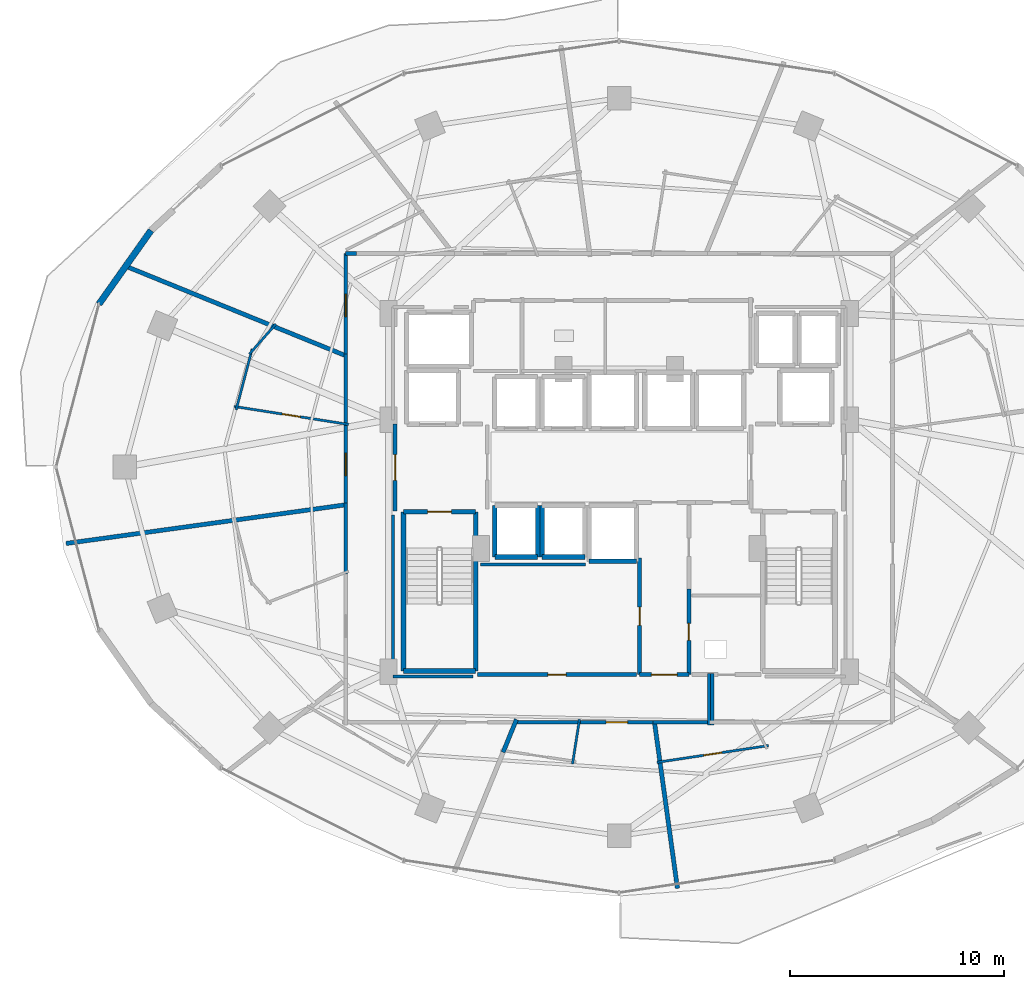
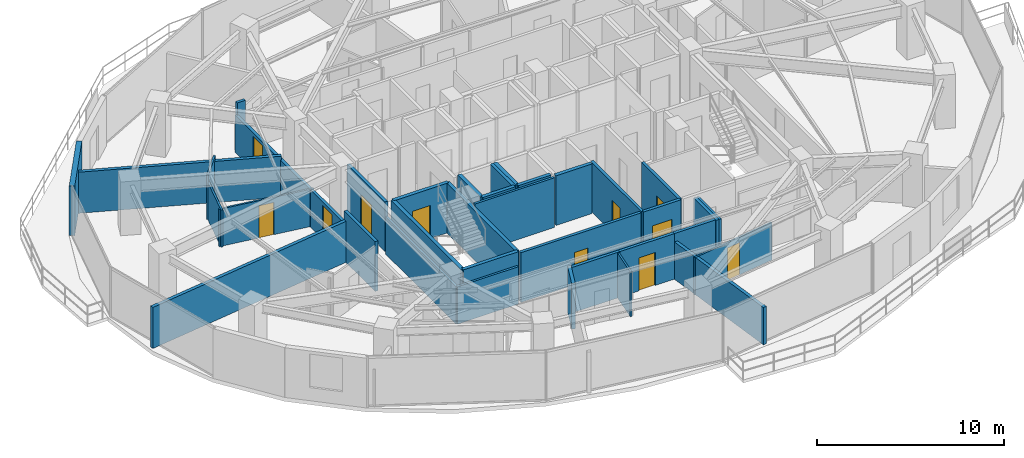
# One storey, part 22 of 30: 38 walls, 11 doors, 11 openings.
"""IFC4 building model written with IfcOpenShell, lengths in metres."""

from ifc_helpers import new_model, si_unit, direction, frame, frame_2d, origin, place, context, subcontext, project, spatial, rectangle, extrude, material, layer, layer_set, type_object, element, fill, save


model = new_model("IFC4")

# Units and contexts
model_context = context("Model", 3, precision=1e-05, world=origin(), true_north=direction((0.0, 1.0)))
body_context = subcontext(model_context, "Body", "Model", "MODEL_VIEW")
ifc_project = project(units=[si_unit("LENGTHUNIT", "METRE"), si_unit("AREAUNIT", "SQUARE_METRE"), si_unit("VOLUMEUNIT", "CUBIC_METRE"), si_unit("PLANEANGLEUNIT", "RADIAN"), si_unit("MASSUNIT", "GRAM", prefix="KILO")], contexts=[model_context])

# Site, building, storey
site_placement = place(None, origin())
site = spatial("IfcSite", under=ifc_project, at=site_placement, CompositionType="ELEMENT")
building_placement = place(site_placement, origin())
building = spatial("IfcBuilding", under=site, at=building_placement, Name="Vorneva Point Tower", CompositionType="ELEMENT")
storey_placement = place(building_placement, frame((0.0, 0.0, 92.800048828125)))
storey = spatial("IfcBuildingStorey", under=building, at=storey_placement, Name="L24", CompositionType="ELEMENT", Elevation=92.800048828125)

# Walls
ifc_material_1 = material(Name="Precast concrete B50 (C40/50)", Category="concrete")
ifc_layer_1 = layer(ifc_material_1, 0.300048828125)
ifc_layer_set_1 = layer_set([ifc_layer_1], Name="Precast concrete B50 (C40/50)")
wall_type_1 = type_object("IfcWallType", Name="WL-EXT-300", PredefinedType="STANDARD", material=ifc_layer_set_1)
wall_1_placement = place(storey_placement, frame((16.173828125, 37.028076171875, 0.0), z_axis=(0.0, 0.0, 1.0), x_axis=(-0.57716435238, -0.81662801222, 0.0)))
element("IfcWall", 1, at=wall_1_placement, inside=storey, type_object=wall_type_1, Name="L24 Pale-Metal Facade Spandrel Wall 07.2", PredefinedType="STANDARD", context=body_context, shape_type="SweptSolid", body=[
    extrude(rectangle(XDim=4.202392578125, YDim=0.300048828125, at=frame_2d((2.10107421875, 0.0))), origin(), (0.0, 0.0, 1.0), 3.239990234375),
])
ifc_material_2 = material(Name="Fire-rated acoustic gypsum stud partition", Category="gypsum")
ifc_layer_2 = layer(ifc_material_2, 0.110107421875)
ifc_layer_set_2 = layer_set([ifc_layer_2], Name="Fire-rated acoustic gypsum stud partition")
wall_type_2 = type_object("IfcWallType", Name="WL-PART-110", PredefinedType="PARTITIONING", material=ifc_layer_set_2)
wall_2_placement = place(storey_placement, frame((20.141357421875, 28.66650390625, 0.0), z_axis=(0.0, 0.0, 1.0), x_axis=(0.254489206931, 0.967075614187, 0.0)))
element("IfcWall", 2, at=wall_2_placement, inside=storey, type_object=wall_type_2, Name="L24 Interior Partition 068", PredefinedType="PARTITIONING", context=body_context, shape_type="SweptSolid", body=[
    extrude(rectangle(XDim=2.9365234375, YDim=0.110107421875, at=frame_2d((1.46826171875, 0.0))), origin(), (0.0, 0.0, 1.0), 2.431884765625),
])
wall_3_placement = place(storey_placement, frame((20.76025390625, 31.26611328125, 0.0), z_axis=(0.0, 0.0, 1.0), x_axis=(0.662008805554, 0.749496058275, 0.0)))
element("IfcWall", 3, at=wall_3_placement, inside=storey, type_object=wall_type_2, Name="L24 Interior Partition 069", PredefinedType="PARTITIONING", context=body_context, shape_type="SweptSolid", body=[
    extrude(rectangle(XDim=1.855712890625, YDim=0.110107421875, at=frame_2d((0.927734375, 0.0))), origin(), (0.0, 0.0, 1.0), 2.921875),
])

# Wall, opening, door
wall_4_placement = place(storey_placement, frame((25.38818359375, 27.982177734375, 0.0), z_axis=(0.0, 0.0, 1.0), x_axis=(-0.98785054141, 0.155406910513, 0.0)))
wall_4 = element("IfcWall", 4, at=wall_4_placement, inside=storey, type_object=wall_type_2, Name="L24 Interior Partition 070", PredefinedType="PARTITIONING", context=body_context, shape_type="SweptSolid", body=[
    extrude(rectangle(XDim=5.4150390625, YDim=0.110107421875, at=frame_2d((2.70751953125, 0.0))), origin(), (0.0, 0.0, 1.0), 2.431884765625),
])
opening_1_placement = place(wall_4_placement, frame((2.28271484375, 0.0, 0.0)))
opening_1 = element("IfcOpeningElement", 5, at=opening_1_placement, cuts=wall_4, Name="Opening ID-02", PredefinedType="OPENING", context=body_context, shape_type="SweptSolid", body=[
    extrude(rectangle(XDim=0.85009765625, YDim=2.10009765625, at=frame_2d((0.425048828125, 1.050048828125))), frame((0.0, 0.06982421875, 0.0), z_axis=(0.0, -1.0, 0.0), x_axis=(1.0, 0.0, 0.0)), (0.0, 0.0, 1.0), 0.139892578125),
])
ifc_material_3 = material(Name="Engineered oak fire-rated door leaf", Category="wood")
door_type_1 = type_object("IfcDoorType", Name="DR-BATH-850", OperationType="NOTDEFINED", PredefinedType="DOOR", material=ifc_material_3)
door_1_placement = place(opening_1_placement, origin())
door_1 = element("IfcDoor", 6, at=door_1_placement, inside=storey, type_object=door_type_1, Name="L24 Door Corner Suite L24-06 / En-Suite Bathroom L24-06", OperationType="SINGLE_SWING_LEFT", OverallHeight=2.10009765625, OverallWidth=0.85009765625, PredefinedType="DOOR", context=body_context, shape_type="SweptSolid", body=[
    extrude(rectangle(XDim=0.85009765625, YDim=2.10009765625, at=frame_2d((0.425048828125, 1.050048828125))), frame((0.0, 0.02490234375, 0.0), z_axis=(0.0, -1.0, 0.0), x_axis=(1.0, 0.0, 0.0)), (0.0, 0.0, 1.0), 0.050048828125),
])
fill(opening_1, door_1)

# Wall
wall_5_placement = place(storey_placement, frame((36.150634765625, 14.23828125, 0.0), z_axis=(0.0, 0.0, 1.0), x_axis=(-0.15485948048, -0.987936506718, 0.0)))
element("IfcWall", 7, at=wall_5_placement, inside=storey, type_object=wall_type_2, Name="L24 Interior Partition 080", PredefinedType="PARTITIONING", context=body_context, shape_type="SweptSolid", body=[
    extrude(rectangle(XDim=2.114013671875, YDim=0.110107421875, at=frame_2d((1.05712890625, 0.0))), origin(), (0.0, 0.0, 1.0), 2.921875),
])

# Wall, opening, door
wall_6_placement = place(storey_placement, frame((44.96142578125, 13.0107421875, 0.0), z_axis=(0.0, 0.0, 1.0), x_axis=(-0.98888518965, -0.148681141008, 0.0)))
wall_6 = element("IfcWall", 8, at=wall_6_placement, inside=storey, type_object=wall_type_2, Name="L24 Interior Partition 083", PredefinedType="PARTITIONING", context=body_context, shape_type="SweptSolid", body=[
    extrude(rectangle(XDim=5.256103515625, YDim=0.110107421875, at=frame_2d((2.6279296875, 0.0))), origin(), (0.0, 0.0, 1.0), 2.431884765625),
])
opening_2_placement = place(wall_6_placement, frame((2.203125, 0.0, 0.0)))
opening_2 = element("IfcOpeningElement", 9, at=opening_2_placement, cuts=wall_6, Name="Opening ID-02", PredefinedType="OPENING", context=body_context, shape_type="SweptSolid", body=[
    extrude(rectangle(XDim=0.85009765625, YDim=2.10009765625, at=frame_2d((0.425048828125, 1.050048828125))), frame((0.0, 0.06982421875, 0.0), z_axis=(0.0, -1.0, 0.0), x_axis=(1.0, 0.0, 0.0)), (0.0, 0.0, 1.0), 0.139892578125),
])
door_2_placement = place(opening_2_placement, origin())
door_2 = element("IfcDoor", 10, at=door_2_placement, inside=storey, type_object=door_type_1, Name="L24 Door Junior Suite L24-10 / En-Suite Bathroom L24-10", OperationType="SINGLE_SWING_LEFT", OverallHeight=2.10009765625, OverallWidth=0.85009765625, PredefinedType="DOOR", context=body_context, shape_type="SweptSolid", body=[
    extrude(rectangle(XDim=0.85009765625, YDim=2.10009765625, at=frame_2d((0.425048828125, 1.050048828125))), frame((0.0, 0.02490234375, 0.0), z_axis=(0.0, -1.0, 0.0), x_axis=(1.0, 0.0, 0.0)), (0.0, 0.0, 1.0), 0.050048828125),
])
fill(opening_2, door_2)

# Walls
ifc_layer_3 = layer(ifc_material_2, 0.139892578125)
ifc_layer_set_3 = layer_set([ifc_layer_3], Name="Fire-rated acoustic gypsum stud partition")
wall_type_3 = type_object("IfcWallType", Name="WL-PART-140", PredefinedType="PARTITIONING", material=ifc_layer_set_3)
wall_7_placement = place(storey_placement, frame((36.43896484375, 21.449951171875, 0.0), z_axis=(0.0, 0.0, 1.0), x_axis=(-1.0, 0.0, 0.0)))
element("IfcWall", 11, at=wall_7_placement, inside=storey, type_object=wall_type_3, Name="L24 Interior Closure Partition 093", PredefinedType="PARTITIONING", context=body_context, shape_type="SweptSolid", body=[
    extrude(rectangle(XDim=4.908935546875, YDim=0.139892578125, at=frame_2d((2.45458984375, 0.0))), origin(), (0.0, 0.0, 1.0), 3.239990234375),
])
wall_8_placement = place(storey_placement, frame((31.195068359375, 16.239990234375, 0.0), z_axis=(0.0, 0.0, 1.0), x_axis=(-1.0, 0.0, 0.0)))
element("IfcWall", 12, at=wall_8_placement, inside=storey, type_object=wall_type_3, Name="L24 Interior Closure Partition 098", PredefinedType="PARTITIONING", context=body_context, shape_type="SweptSolid", body=[
    extrude(rectangle(XDim=3.7451171875, YDim=0.139892578125, at=frame_2d((1.87255859375, 0.0))), origin(), (0.0, 0.0, 1.0), 2.431884765625),
])
wall_9_placement = place(storey_placement, frame((27.449951171875, 16.239990234375, 0.0), z_axis=(0.0, 0.0, 1.0), x_axis=(0.0, 1.0, 0.0)))
element("IfcWall", 13, at=wall_9_placement, inside=storey, type_object=wall_type_3, Name="L24 Interior Closure Partition 099", PredefinedType="PARTITIONING", context=body_context, shape_type="SweptSolid", body=[
    extrude(rectangle(XDim=7.513916015625, YDim=0.139892578125, at=frame_2d((3.7568359375, 0.0))), origin(), (0.0, 0.0, 1.0), 2.431884765625),
])

# Wall, opening, door
ifc_material_4 = material(Name="Autoclaved aerated concrete blockwork", Category="masonry")
ifc_layer_4 = layer(ifc_material_4, 0.179931640625)
ifc_layer_set_4 = layer_set([ifc_layer_4], Name="Autoclaved aerated concrete blockwork")
wall_type_4 = type_object("IfcWallType", Name="WL-PART-180", PredefinedType="PARTITIONING", material=ifc_layer_set_4)
wall_10_placement = place(storey_placement, frame((27.550048828125, 28.0, 0.0), z_axis=(0.0, 0.0, 1.0), x_axis=(0.0, -1.0, 0.0)))
wall_10 = element("IfcWall", 14, at=wall_10_placement, inside=storey, type_object=wall_type_4, Name="L24 Interior Partition 002", PredefinedType="PARTITIONING", context=body_context, shape_type="SweptSolid", body=[
    extrude(rectangle(XDim=4.050048828125, YDim=0.179931640625, at=frame_2d((2.02490234375, 0.0))), origin(), (0.0, 0.0, 1.0), 3.239990234375),
])
opening_3_placement = place(wall_10_placement, frame((1.425048828125, 0.0, 0.0)))
opening_3 = element("IfcOpeningElement", 15, at=opening_3_placement, cuts=wall_10, Name="Opening FD-02", PredefinedType="OPENING", context=body_context, shape_type="SweptSolid", body=[
    extrude(rectangle(XDim=1.199951171875, YDim=2.14990234375, at=frame_2d((0.60009765625, 1.074951171875))), frame((0.0, 0.10498046875, 0.0), z_axis=(0.0, -1.0, 0.0), x_axis=(1.0, 0.0, 0.0)), (0.0, 0.0, 1.0), 0.209716796875),
])
ifc_material_5 = material(Name="Fire-rated powder-coated steel", Category="steel")
door_type_2 = type_object("IfcDoorType", Name="DR-FFL-1200", OperationType="NOTDEFINED", PredefinedType="DOOR", material=ifc_material_5)
door_3_placement = place(opening_3_placement, origin())
door_3 = element("IfcDoor", 16, at=door_3_placement, inside=storey, type_object=door_type_2, Name="L24 Door West Firefighting Lobby / L24 Circulation Corridor", OperationType="SINGLE_SWING_RIGHT", OverallHeight=2.14990234375, OverallWidth=1.199951171875, PredefinedType="DOOR", context=body_context, shape_type="SweptSolid", body=[
    extrude(rectangle(XDim=1.199951171875, YDim=2.14990234375, at=frame_2d((0.60009765625, 1.074951171875))), frame((0.0, 0.02490234375, 0.0), z_axis=(0.0, -1.0, 0.0), x_axis=(1.0, 0.0, 0.0)), (0.0, 0.0, 1.0), 0.050048828125),
])
fill(opening_3, door_3)

wall_11_placement = place(storey_placement, frame((41.25, 16.320068359375, 0.0), z_axis=(0.0, 0.0, 1.0), x_axis=(0.0, 1.0, 0.0)))
wall_11 = element("IfcWall", 17, at=wall_11_placement, inside=storey, type_object=wall_type_4, Name="L24 Interior Partition 011", PredefinedType="PARTITIONING", context=body_context, shape_type="SweptSolid", body=[
    extrude(rectangle(XDim=3.98486328125, YDim=0.179931640625, at=frame_2d((1.992431640625, 0.0))), origin(), (0.0, 0.0, 1.0), 3.239990234375),
])
opening_4_placement = place(wall_11_placement, frame((1.592529296875, 0.0, 0.0)))
opening_4 = element("IfcOpeningElement", 18, at=opening_4_placement, cuts=wall_11, Name="Opening RD-01", PredefinedType="OPENING", context=body_context, shape_type="SweptSolid", body=[
    extrude(rectangle(XDim=0.800048828125, YDim=2.050048828125, at=frame_2d((0.39990234375, 1.02490234375))), frame((0.0, 0.10498046875, 0.0), z_axis=(0.0, -1.0, 0.0), x_axis=(1.0, 0.0, 0.0)), (0.0, 0.0, 1.0), 0.209716796875),
])
door_type_3 = type_object("IfcDoorType", Name="DR-RSR-800", OperationType="SINGLE_SWING_LEFT", PredefinedType="DOOR", material=ifc_material_5)
door_4_placement = place(opening_4_placement, origin())
door_4 = element("IfcDoor", 19, at=door_4_placement, inside=storey, type_object=door_type_3, Name="L24 Door Core Service Lobby / Electrical Riser", OperationType="SINGLE_SWING_RIGHT", OverallHeight=2.050048828125, OverallWidth=0.800048828125, PredefinedType="DOOR", context=body_context, shape_type="SweptSolid", body=[
    extrude(rectangle(XDim=0.800048828125, YDim=2.050048828125, at=frame_2d((0.39990234375, 1.02490234375))), frame((0.0, 0.02490234375, 0.0), z_axis=(0.0, -1.0, 0.0), x_axis=(1.0, 0.0, 0.0)), (0.0, 0.0, 1.0), 0.050048828125),
])
fill(opening_4, door_4)

wall_12_placement = place(storey_placement, frame((38.949951171875, 21.7548828125, 0.0), z_axis=(0.0, 0.0, 1.0), x_axis=(0.0, -1.0, 0.0)))
wall_12 = element("IfcWall", 20, at=wall_12_placement, inside=storey, type_object=wall_type_4, Name="L24 Interior Partition 013", PredefinedType="PARTITIONING", context=body_context, shape_type="SweptSolid", body=[
    extrude(rectangle(XDim=5.434814453125, YDim=0.179931640625, at=frame_2d((2.71728515625, 0.0))), origin(), (0.0, 0.0, 1.0), 3.239990234375),
])
opening_5_placement = place(wall_12_placement, frame((2.29248046875, 0.0, 0.0)))
opening_5 = element("IfcOpeningElement", 21, at=opening_5_placement, cuts=wall_12, Name="Opening ID-02", PredefinedType="OPENING", context=body_context, shape_type="SweptSolid", body=[
    extrude(rectangle(XDim=0.85009765625, YDim=2.10009765625, at=frame_2d((0.425048828125, 1.050048828125))), frame((0.0, 0.10498046875, 0.0), z_axis=(0.0, -1.0, 0.0), x_axis=(1.0, 0.0, 0.0)), (0.0, 0.0, 1.0), 0.209716796875),
])
door_5_placement = place(opening_5_placement, origin())
door_5 = element("IfcDoor", 22, at=door_5_placement, inside=storey, type_object=door_type_1, Name="L24 Door Core Service Lobby / Housekeeping and Linen Room", OperationType="SINGLE_SWING_RIGHT", OverallHeight=2.10009765625, OverallWidth=0.85009765625, PredefinedType="DOOR", context=body_context, shape_type="SweptSolid", body=[
    extrude(rectangle(XDim=0.85009765625, YDim=2.10009765625, at=frame_2d((0.425048828125, 1.050048828125))), frame((0.0, 0.02490234375, 0.0), z_axis=(0.0, -1.0, 0.0), x_axis=(1.0, 0.0, 0.0)), (0.0, 0.0, 1.0), 0.050048828125),
])
fill(opening_5, door_5)

wall_13_placement = place(storey_placement, frame((38.949951171875, 16.320068359375, 0.0), z_axis=(0.0, 0.0, 1.0), x_axis=(1.0, 0.0, 0.0)))
wall_13 = element("IfcWall", 23, at=wall_13_placement, inside=storey, type_object=wall_type_4, Name="L24 Interior Partition 014", PredefinedType="PARTITIONING", context=body_context, shape_type="SweptSolid", body=[
    extrude(rectangle(XDim=2.300048828125, YDim=0.179931640625, at=frame_2d((1.14990234375, 0.0))), origin(), (0.0, 0.0, 1.0), 3.239990234375),
])
opening_6_placement = place(wall_13_placement, frame((0.550048828125, 0.0, 0.0)))
opening_6 = element("IfcOpeningElement", 24, at=opening_6_placement, cuts=wall_13, Name="Opening FD-02", PredefinedType="OPENING", context=body_context, shape_type="SweptSolid", body=[
    extrude(rectangle(XDim=1.199951171875, YDim=2.14990234375, at=frame_2d((0.60009765625, 1.074951171875))), frame((0.0, 0.10498046875, 0.0), z_axis=(0.0, -1.0, 0.0), x_axis=(1.0, 0.0, 0.0)), (0.0, 0.0, 1.0), 0.209716796875),
])
door_6_placement = place(opening_6_placement, origin())
door_6 = element("IfcDoor", 25, at=door_6_placement, inside=storey, type_object=door_type_2, Name="L24 Door Core Service Lobby / L24 Circulation Corridor", OperationType="SINGLE_SWING_LEFT", OverallHeight=2.14990234375, OverallWidth=1.199951171875, PredefinedType="DOOR", context=body_context, shape_type="SweptSolid", body=[
    extrude(rectangle(XDim=1.199951171875, YDim=2.14990234375, at=frame_2d((0.60009765625, 1.074951171875))), frame((0.0, 0.02490234375, 0.0), z_axis=(0.0, -1.0, 0.0), x_axis=(1.0, 0.0, 0.0)), (0.0, 0.0, 1.0), 0.050048828125),
])
fill(opening_6, door_6)

wall_14_placement = place(storey_placement, frame((31.39990234375, 16.320068359375, 0.0), z_axis=(0.0, 0.0, 1.0), x_axis=(1.0, 0.0, 0.0)))
wall_14 = element("IfcWall", 26, at=wall_14_placement, inside=storey, type_object=wall_type_4, Name="L24 Interior Partition 021", PredefinedType="PARTITIONING", context=body_context, shape_type="SweptSolid", body=[
    extrude(rectangle(XDim=7.400146484375, YDim=0.179931640625, at=frame_2d((3.7001953125, 0.0))), origin(), (0.0, 0.0, 1.0), 3.239990234375),
])
opening_7_placement = place(wall_14_placement, frame((3.27490234375, 0.0, 0.0)))
opening_7 = element("IfcOpeningElement", 27, at=opening_7_placement, cuts=wall_14, Name="Opening ID-02", PredefinedType="OPENING", context=body_context, shape_type="SweptSolid", body=[
    extrude(rectangle(XDim=0.85009765625, YDim=2.10009765625, at=frame_2d((0.425048828125, 1.050048828125))), frame((0.0, 0.10498046875, 0.0), z_axis=(0.0, -1.0, 0.0), x_axis=(1.0, 0.0, 0.0)), (0.0, 0.0, 1.0), 0.209716796875),
])
door_7_placement = place(opening_7_placement, origin())
door_7 = element("IfcDoor", 28, at=door_7_placement, inside=storey, type_object=door_type_1, Name="L24 Door Housekeeping and Linen Room / L24 Circulation Corridor", OperationType="SINGLE_SWING_LEFT", OverallHeight=2.10009765625, OverallWidth=0.85009765625, PredefinedType="DOOR", context=body_context, shape_type="SweptSolid", body=[
    extrude(rectangle(XDim=0.85009765625, YDim=2.10009765625, at=frame_2d((0.425048828125, 1.050048828125))), frame((0.0, 0.02490234375, 0.0), z_axis=(0.0, -1.0, 0.0), x_axis=(1.0, 0.0, 0.0)), (0.0, 0.0, 1.0), 0.050048828125),
])
fill(opening_7, door_7)

# Wall
wall_15_placement = place(storey_placement, frame((25.7451171875, 35.949951171875, 0.0), z_axis=(0.0, 0.0, 1.0), x_axis=(-1.0, 0.0, 0.0)))
element("IfcWall", 29, at=wall_15_placement, inside=storey, type_object=wall_type_4, Name="L24 Interior Partition 030", PredefinedType="PARTITIONING", context=body_context, shape_type="SweptSolid", body=[
    extrude(rectangle(XDim=0.4951171875, YDim=0.179931640625, at=frame_2d((0.24755859375, 0.0))), origin(), (0.0, 0.0, 1.0), 3.239990234375),
])

# Wall, opening, door
wall_16_placement = place(storey_placement, frame((25.25, 35.949951171875, 0.0), z_axis=(0.0, 0.0, 1.0), x_axis=(0.0, -1.0, 0.0)))
wall_16 = element("IfcWall", 30, at=wall_16_placement, inside=storey, type_object=wall_type_4, Name="L24 Interior Partition 031", PredefinedType="PARTITIONING", context=body_context, shape_type="SweptSolid", body=[
    extrude(rectangle(XDim=4.822021484375, YDim=0.179931640625, at=frame_2d((2.4111328125, 0.0))), origin(), (0.0, 0.0, 1.0), 2.431884765625),
])
opening_8_placement = place(wall_16_placement, frame((1.885986328125, 0.0, 0.0)))
opening_8 = element("IfcOpeningElement", 31, at=opening_8_placement, cuts=wall_16, Name="Opening UD-02", PredefinedType="OPENING", context=body_context, shape_type="SweptSolid", body=[
    extrude(rectangle(XDim=1.050048828125, YDim=2.199951171875, at=frame_2d((0.52490234375, 1.10009765625))), frame((0.0, 0.10498046875, 0.0), z_axis=(0.0, -1.0, 0.0), x_axis=(1.0, 0.0, 0.0)), (0.0, 0.0, 1.0), 0.209716796875),
])
door_type_4 = type_object("IfcDoorType", Name="DR-SUITE-1050", OperationType="NOTDEFINED", PredefinedType="DOOR", material=ifc_material_3)
door_8_placement = place(opening_8_placement, origin())
door_8 = element("IfcDoor", 32, at=door_8_placement, inside=storey, type_object=door_type_4, Name="L24 Door L24 Circulation Corridor / Executive Suite L24-05", OperationType="SINGLE_SWING_RIGHT", OverallHeight=2.199951171875, OverallWidth=1.050048828125, PredefinedType="DOOR", context=body_context, shape_type="SweptSolid", body=[
    extrude(rectangle(XDim=1.050048828125, YDim=2.199951171875, at=frame_2d((0.52490234375, 1.10009765625))), frame((0.0, 0.02490234375, 0.0), z_axis=(0.0, -1.0, 0.0), x_axis=(1.0, 0.0, 0.0)), (0.0, 0.0, 1.0), 0.050048828125),
])
fill(opening_8, door_8)

wall_17_placement = place(storey_placement, frame((25.25, 28.06494140625, 0.0), z_axis=(0.0, 0.0, 1.0), x_axis=(0.0, -1.0, 0.0)))
wall_17 = element("IfcWall", 33, at=wall_17_placement, inside=storey, type_object=wall_type_4, Name="L24 Interior Partition 033", PredefinedType="PARTITIONING", context=body_context, shape_type="SweptSolid", body=[
    extrude(rectangle(XDim=3.889892578125, YDim=0.179931640625, at=frame_2d((1.94482421875, 0.0))), origin(), (0.0, 0.0, 1.0), 2.431884765625),
])
opening_9_placement = place(wall_17_placement, frame((1.419921875, 0.0, 0.0)))
opening_9 = element("IfcOpeningElement", 34, at=opening_9_placement, cuts=wall_17, Name="Opening UD-02", PredefinedType="OPENING", context=body_context, shape_type="SweptSolid", body=[
    extrude(rectangle(XDim=1.050048828125, YDim=2.199951171875, at=frame_2d((0.52490234375, 1.10009765625))), frame((0.0, 0.10498046875, 0.0), z_axis=(0.0, -1.0, 0.0), x_axis=(1.0, 0.0, 0.0)), (0.0, 0.0, 1.0), 0.209716796875),
])
door_9_placement = place(opening_9_placement, origin())
door_9 = element("IfcDoor", 35, at=door_9_placement, inside=storey, type_object=door_type_4, Name="L24 Door L24 Circulation Corridor / Corner Suite L24-06", OperationType="SINGLE_SWING_LEFT", OverallHeight=2.199951171875, OverallWidth=1.050048828125, PredefinedType="DOOR", context=body_context, shape_type="SweptSolid", body=[
    extrude(rectangle(XDim=1.050048828125, YDim=2.199951171875, at=frame_2d((0.52490234375, 1.10009765625))), frame((0.0, 0.02490234375, 0.0), z_axis=(0.0, -1.0, 0.0), x_axis=(1.0, 0.0, 0.0)), (0.0, 0.0, 1.0), 0.050048828125),
])
fill(opening_9, door_9)

# Walls
wall_18_placement = place(storey_placement, frame((25.25, 31.26806640625, 0.0), z_axis=(0.0, 0.0, 1.0), x_axis=(0.0, -1.0, 0.0)))
element("IfcWall", 36, at=wall_18_placement, inside=storey, type_object=wall_type_4, Name="L24 Interior Partition 034", PredefinedType="PARTITIONING", context=body_context, shape_type="SweptSolid", body=[
    extrude(rectangle(XDim=3.343017578125, YDim=0.179931640625, at=frame_2d((1.67138671875, 0.0))), origin(), (0.0, 0.0, 1.0), 2.431884765625),
])
wall_19_placement = place(storey_placement, frame((25.25, 24.31494140625, 0.0), z_axis=(0.0, 0.0, 1.0), x_axis=(0.0, -1.0, 0.0)))
element("IfcWall", 37, at=wall_19_placement, inside=storey, type_object=wall_type_4, Name="L24 Interior Partition 036", PredefinedType="PARTITIONING", context=body_context, shape_type="SweptSolid", body=[
    extrude(rectangle(XDim=3.307861328125, YDim=0.179931640625, at=frame_2d((1.65380859375, 0.0))), origin(), (0.0, 0.0, 1.0), 3.239990234375),
])

# Wall, opening, door
wall_20_placement = place(storey_placement, frame((36.068115234375, 14.10009765625, 0.0), z_axis=(0.0, 0.0, 1.0), x_axis=(1.0, 0.0, 0.0)))
wall_20 = element("IfcWall", 38, at=wall_20_placement, inside=storey, type_object=wall_type_4, Name="L24 Interior Partition 040", PredefinedType="PARTITIONING", context=body_context, shape_type="SweptSolid", body=[
    extrude(rectangle(XDim=3.638916015625, YDim=0.179931640625, at=frame_2d((1.8193359375, 0.0))), origin(), (0.0, 0.0, 1.0), 2.971923828125),
])
opening_10_placement = place(wall_20_placement, frame((1.319580078125, 0.0, 0.0)))
opening_10 = element("IfcOpeningElement", 39, at=opening_10_placement, cuts=wall_20, Name="Opening UD-01", PredefinedType="OPENING", context=body_context, shape_type="SweptSolid", body=[
    extrude(rectangle(XDim=1.0, YDim=2.14990234375, at=frame_2d((0.5, 1.074951171875))), frame((0.0, 0.10498046875, 0.0), z_axis=(0.0, -1.0, 0.0), x_axis=(1.0, 0.0, 0.0)), (0.0, 0.0, 1.0), 0.209716796875),
])
door_type_5 = type_object("IfcDoorType", Name="DR-UNIT-1000", OperationType="NOTDEFINED", PredefinedType="DOOR", material=ifc_material_3)
door_10_placement = place(opening_10_placement, origin())
door_10 = element("IfcDoor", 40, at=door_10_placement, inside=storey, type_object=door_type_5, Name="L24 Door L24 Circulation Corridor / Twin Guest Room L24-09", OperationType="SINGLE_SWING_RIGHT", OverallHeight=2.14990234375, OverallWidth=1.0, PredefinedType="DOOR", context=body_context, shape_type="SweptSolid", body=[
    extrude(rectangle(XDim=1.0, YDim=2.14990234375, at=frame_2d((0.5, 1.074951171875))), frame((0.0, 0.02490234375, 0.0), z_axis=(0.0, -1.0, 0.0), x_axis=(1.0, 0.0, 0.0)), (0.0, 0.0, 1.0), 0.050048828125),
])
fill(opening_10, door_10)

# Walls
wall_21_placement = place(storey_placement, frame((33.077880859375, 14.10009765625, 0.0), z_axis=(0.0, 0.0, 1.0), x_axis=(1.0, 0.0, 0.0)))
element("IfcWall", 41, at=wall_21_placement, inside=storey, type_object=wall_type_4, Name="L24 Interior Partition 041", PredefinedType="PARTITIONING", context=body_context, shape_type="SweptSolid", body=[
    extrude(rectangle(XDim=3.130126953125, YDim=0.179931640625, at=frame_2d((1.56494140625, 0.0))), origin(), (0.0, 0.0, 1.0), 2.971923828125),
])
wall_22_placement = place(storey_placement, frame((42.340087890625, 16.3798828125, 0.0), z_axis=(0.0, 0.0, 1.0), x_axis=(0.0, -1.0, 0.0)))
element("IfcWall", 42, at=wall_22_placement, inside=storey, type_object=wall_type_4, Name="L24 Interior Partition 044", PredefinedType="PARTITIONING", context=body_context, shape_type="SweptSolid", body=[
    extrude(rectangle(XDim=2.419921875, YDim=0.179931640625, at=frame_2d((1.2099609375, 0.0))), origin(), (0.0, 0.0, 1.0), 2.971923828125),
])
wall_23_placement = place(storey_placement, frame((39.56689453125, 14.10009765625, 0.0), z_axis=(0.0, 0.0, 1.0), x_axis=(1.0, 0.0, 0.0)))
element("IfcWall", 43, at=wall_23_placement, inside=storey, type_object=wall_type_4, Name="L24 Interior Partition 046", PredefinedType="PARTITIONING", context=body_context, shape_type="SweptSolid", body=[
    extrude(rectangle(XDim=2.773193359375, YDim=0.179931640625, at=frame_2d((1.38671875, 0.0))), origin(), (0.0, 0.0, 1.0), 2.971923828125),
])
wall_24_placement = place(storey_placement, frame((42.199951171875, 13.9599609375, 0.0), z_axis=(0.0, 0.0, 1.0), x_axis=(0.0, 1.0, 0.0)))
element("IfcWall", 44, at=wall_24_placement, inside=storey, type_object=wall_type_4, Name="L24 Interior Partition 047", PredefinedType="PARTITIONING", context=body_context, shape_type="SweptSolid", body=[
    extrude(rectangle(XDim=2.419921875, YDim=0.179931640625, at=frame_2d((1.2099609375, 0.0))), origin(), (0.0, 0.0, 1.0), 2.971923828125),
])
ifc_layer_5 = layer(ifc_material_4, 0.199951171875)
ifc_layer_set_5 = layer_set([ifc_layer_5], Name="Autoclaved aerated concrete blockwork")
wall_type_5 = type_object("IfcWallType", Name="WL-PART-200", PredefinedType="PARTITIONING", material=ifc_layer_set_5)
wall_25_placement = place(storey_placement, frame((14.9970703125, 35.35888671875, 0.0), z_axis=(0.0, 0.0, 1.0), x_axis=(0.926288615834, -0.376814808861, 0.0)))
element("IfcWall", 45, at=wall_25_placement, inside=storey, type_object=wall_type_5, Name="L24 Interior Partition 067", PredefinedType="PARTITIONING", context=body_context, shape_type="SweptSolid", body=[
    extrude(rectangle(XDim=11.06884765625, YDim=0.199951171875, at=frame_2d((5.534423828125, 0.0))), origin(), (0.0, 0.0, 1.0), 2.677001953125),
])
wall_26_placement = place(storey_placement, frame((12.215087890625, 22.43310546875, 0.0), z_axis=(0.0, 0.0, 1.0), x_axis=(0.990569013426, 0.137014705927, 0.0)))
element("IfcWall", 46, at=wall_26_placement, inside=storey, type_object=wall_type_5, Name="L24 Interior Partition 071", PredefinedType="PARTITIONING", context=body_context, shape_type="SweptSolid", body=[
    extrude(rectangle(XDim=13.158935546875, YDim=0.199951171875, at=frame_2d((6.57958984375, 0.0))), origin(), (0.0, 0.0, 1.0), 2.677001953125),
])
wall_27_placement = place(storey_placement, frame((32.589111328125, 12.701416015625, 0.0), z_axis=(0.0, 0.0, 1.0), x_axis=(0.376742177728, 0.926318158907, 0.0)))
element("IfcWall", 47, at=wall_27_placement, inside=storey, type_object=wall_type_5, Name="L24 Interior Partition 079", PredefinedType="PARTITIONING", context=body_context, shape_type="SweptSolid", body=[
    extrude(rectangle(XDim=1.64990234375, YDim=0.199951171875, at=frame_2d((0.824951171875, 0.0))), origin(), (0.0, 0.0, 1.0), 2.971923828125),
])
wall_28_placement = place(storey_placement, frame((40.717041015625, 6.35302734375, 0.0), z_axis=(0.0, 0.0, 1.0), x_axis=(-0.136949014068, 0.990578097651, 0.0)))
element("IfcWall", 48, at=wall_28_placement, inside=storey, type_object=wall_type_5, Name="L24 Interior Partition 082", PredefinedType="PARTITIONING", context=body_context, shape_type="SweptSolid", body=[
    extrude(rectangle(XDim=7.82080078125, YDim=0.199951171875, at=frame_2d((3.910400390625, 0.0))), origin(), (0.0, 0.0, 1.0), 2.431884765625),
])

# Wall, opening, door
ifc_material_6 = material(Name="Concrete B50 (C40/50)", Category="concrete")
ifc_layer_6 = layer(ifc_material_6, 0.219970703125)
ifc_layer_set_6 = layer_set([ifc_layer_6], Name="Concrete B50 (C40/50)")
wall_type_6 = type_object("IfcWallType", Name="WL-SHFT-220", PredefinedType="SOLIDWALL", material=ifc_layer_set_6)
wall_29_placement = place(storey_placement, frame((27.93994140625, 23.909912109375, 0.0), z_axis=(0.0, 0.0, 1.0), x_axis=(1.0, 0.0, 0.0)))
wall_29 = element("IfcWall", 49, at=wall_29_placement, inside=storey, type_object=wall_type_6, Name="L24 Exit Stair ST1 Shaft Wall near", PredefinedType="SOLIDWALL", context=body_context, shape_type="SweptSolid", body=[
    extrude(rectangle(XDim=3.3701171875, YDim=0.219970703125, at=frame_2d((1.68505859375, 0.0))), origin(), (0.0, 0.0, 1.0), 3.239990234375),
])
opening_11_placement = place(wall_29_placement, frame((1.135009765625, 0.0, 0.0)))
opening_11 = element("IfcOpeningElement", 50, at=opening_11_placement, cuts=wall_29, Name="Opening FD-01", PredefinedType="OPENING", context=body_context, shape_type="SweptSolid", body=[
    extrude(rectangle(XDim=1.10009765625, YDim=2.14990234375, at=frame_2d((0.550048828125, 1.074951171875))), frame((0.0, 0.125, 0.0), z_axis=(0.0, -1.0, 0.0), x_axis=(1.0, 0.0, 0.0)), (0.0, 0.0, 1.0), 0.249755859375),
])
door_type_6 = type_object("IfcDoorType", Name="DR-STAIR-1100", OperationType="NOTDEFINED", PredefinedType="DOOR", material=ifc_material_5)
door_11_placement = place(opening_11_placement, origin())
door_11 = element("IfcDoor", 51, at=door_11_placement, inside=storey, type_object=door_type_6, Name="L24 Exit Stair ST1 Fire Door", OperationType="SINGLE_SWING_RIGHT", OverallHeight=2.14990234375, OverallWidth=1.10009765625, PredefinedType="DOOR", context=body_context, shape_type="SweptSolid", body=[
    extrude(rectangle(XDim=1.10009765625, YDim=2.14990234375, at=frame_2d((0.550048828125, 1.074951171875))), frame((0.0, 0.02490234375, 0.0), z_axis=(0.0, -1.0, 0.0), x_axis=(1.0, 0.0, 0.0)), (0.0, 0.0, 1.0), 0.050048828125),
])
fill(opening_11, door_11)

# Walls
wall_30_placement = place(storey_placement, frame((31.31005859375, 23.909912109375, 0.0), z_axis=(0.0, 0.0, 1.0), x_axis=(0.0, -1.0, 0.0)))
element("IfcWall", 52, at=wall_30_placement, inside=storey, type_object=wall_type_6, Name="L24 Exit Stair ST1 Shaft Wall right", PredefinedType="SOLIDWALL", context=body_context, shape_type="SweptSolid", body=[
    extrude(rectangle(XDim=7.419921875, YDim=0.219970703125, at=frame_2d((3.7099609375, 0.0))), origin(), (0.0, 0.0, 1.0), 3.239990234375),
])
wall_31_placement = place(storey_placement, frame((31.31005859375, 16.489990234375, 0.0), z_axis=(0.0, 0.0, 1.0), x_axis=(-1.0, 0.0, 0.0)))
element("IfcWall", 53, at=wall_31_placement, inside=storey, type_object=wall_type_6, Name="L24 Exit Stair ST1 Shaft Wall far", PredefinedType="SOLIDWALL", context=body_context, shape_type="SweptSolid", body=[
    extrude(rectangle(XDim=3.3701171875, YDim=0.219970703125, at=frame_2d((1.68505859375, 0.0))), origin(), (0.0, 0.0, 1.0), 3.239990234375),
])
wall_32_placement = place(storey_placement, frame((27.93994140625, 16.489990234375, 0.0), z_axis=(0.0, 0.0, 1.0), x_axis=(0.0, 1.0, 0.0)))
element("IfcWall", 54, at=wall_32_placement, inside=storey, type_object=wall_type_6, Name="L24 Exit Stair ST1 Shaft Wall left", PredefinedType="SOLIDWALL", context=body_context, shape_type="SweptSolid", body=[
    extrude(rectangle(XDim=7.419921875, YDim=0.219970703125, at=frame_2d((3.7099609375, 0.0))), origin(), (0.0, 0.0, 1.0), 3.239990234375),
])
wall_33_placement = place(storey_placement, frame((32.199951171875, 21.800048828125, 0.0), z_axis=(0.0, 0.0, 1.0), x_axis=(1.0, 0.0, 0.0)))
element("IfcWall", 55, at=wall_33_placement, inside=storey, type_object=wall_type_6, Name="L24 Lift PL4 Shaft Wall -Y", PredefinedType="SOLIDWALL", context=body_context, shape_type="SweptSolid", body=[
    extrude(rectangle(XDim=2.0, YDim=0.219970703125, at=frame_2d((1.0, 0.0))), origin(), (0.0, 0.0, 1.0), 3.239990234375),
])
for number, where, z_axis, x_axis, name in (
    (56, (34.199951171875, 21.800048828125, 0.0), (0.0, 0.0, 1.0), (0.0, 1.0, 0.0), "L24 Lift PL4 Shaft Wall +X"),
    (57, (32.199951171875, 24.199951171875, 0.0), (0.0, 0.0, 1.0), (0.0, -1.0, 0.0), "L24 Lift PL4 Shaft Wall -X"),
):
    element("IfcWall", number, at=place(storey_placement, frame(where, z_axis=z_axis, x_axis=x_axis)), inside=storey, type_object=wall_type_6, Name=name, PredefinedType="SOLIDWALL", context=body_context, shape_type="SweptSolid", body=[
        extrude(rectangle(XDim=2.39990234375, YDim=0.219970703125, at=frame_2d((1.199951171875, 0.0))), origin(), (0.0, 0.0, 1.0), 3.239990234375),
    ])
wall_34_placement = place(storey_placement, frame((34.39990234375, 21.800048828125, 0.0), z_axis=(0.0, 0.0, 1.0), x_axis=(1.0, 0.0, 0.0)))
element("IfcWall", 58, at=wall_34_placement, inside=storey, type_object=wall_type_6, Name="L24 Lift PL5 Shaft Wall -Y", PredefinedType="SOLIDWALL", context=body_context, shape_type="SweptSolid", body=[
    extrude(rectangle(XDim=2.0, YDim=0.219970703125, at=frame_2d((1.0, 0.0))), origin(), (0.0, 0.0, 1.0), 3.239990234375),
])
wall_35_placement = place(storey_placement, frame((34.39990234375, 24.199951171875, 0.0), z_axis=(0.0, 0.0, 1.0), x_axis=(0.0, -1.0, 0.0)))
element("IfcWall", 59, at=wall_35_placement, inside=storey, type_object=wall_type_6, Name="L24 Lift PL5 Shaft Wall -X", PredefinedType="SOLIDWALL", context=body_context, shape_type="SweptSolid", body=[
    extrude(rectangle(XDim=2.39990234375, YDim=0.219970703125, at=frame_2d((1.199951171875, 0.0))), origin(), (0.0, 0.0, 1.0), 3.239990234375),
])
wall_36_placement = place(storey_placement, frame((36.60009765625, 21.60009765625, 0.0), z_axis=(0.0, 0.0, 1.0), x_axis=(1.0, 0.0, 0.0)))
element("IfcWall", 60, at=wall_36_placement, inside=storey, type_object=wall_type_6, Name="L24 Lift PL6 Shaft Wall -Y", PredefinedType="SOLIDWALL", context=body_context, shape_type="SweptSolid", body=[
    extrude(rectangle(XDim=2.199951171875, YDim=0.219970703125, at=frame_2d((1.10009765625, 0.0))), origin(), (0.0, 0.0, 1.0), 3.239990234375),
])

save(model, "model.ifc")
